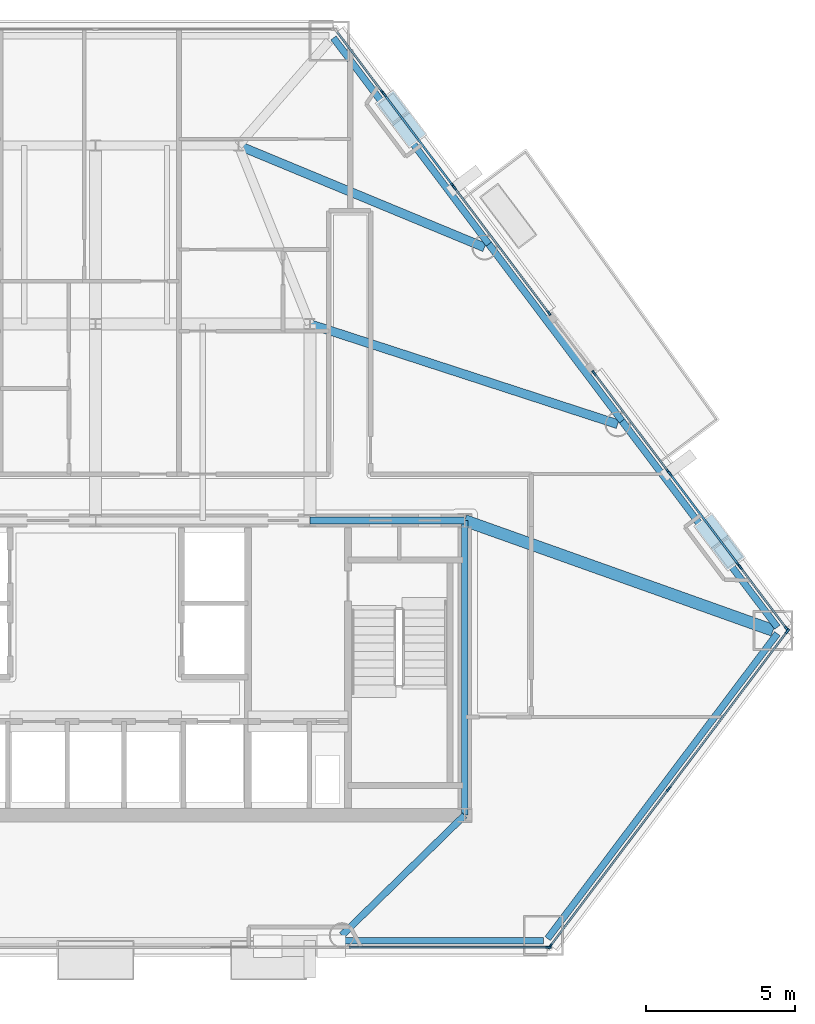
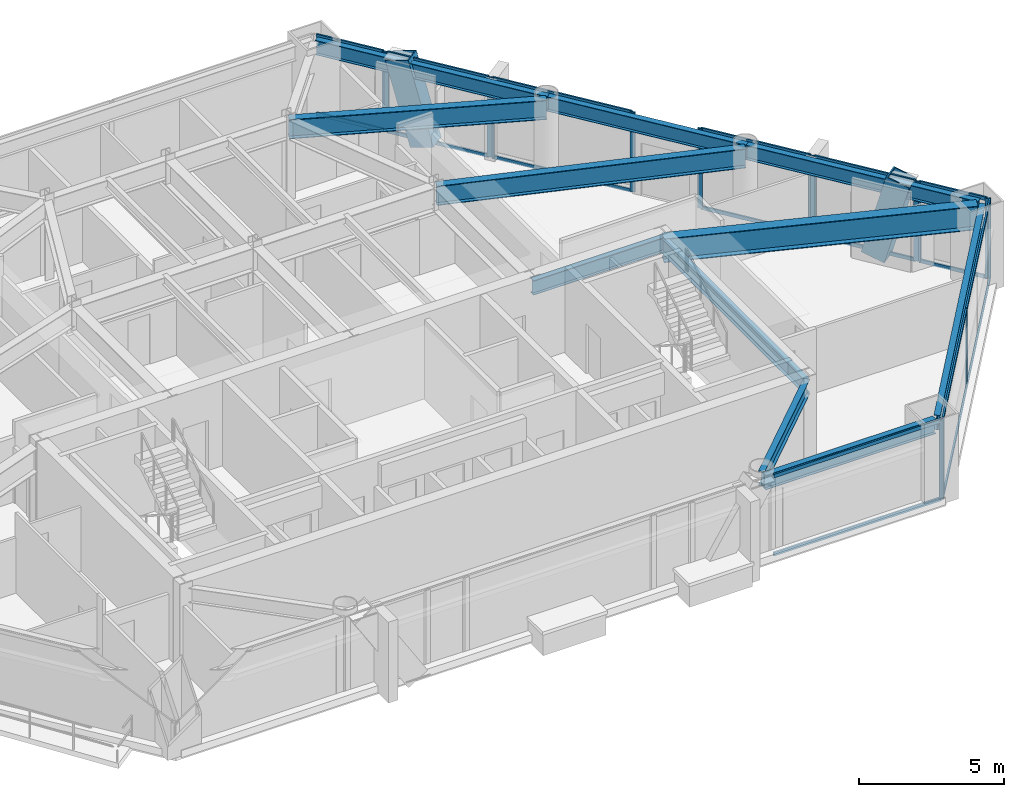
# One storey, part 4 of 11: 35 members, 11 beams, 8 elements without a shape of their own.
"""IFC4 building model written with IfcOpenShell, lengths in metres."""

from ifc_helpers import new_model, si_unit, direction, frame, origin, origin_2d, place, context, subcontext, project, spatial, rectangle, hollow_rectangle, i_section, extrude, material, layer, layer_set, material_profile, profile_set, type_object, element, aggregate, save


model = new_model("IFC4")

# Units and contexts
model_context = context("Model", 3, precision=1e-05, world=origin(), true_north=direction((0.0, 1.0)))
body_context = subcontext(model_context, "Body", "Model", "MODEL_VIEW")
ifc_project = project(units=[si_unit("LENGTHUNIT", "METRE"), si_unit("AREAUNIT", "SQUARE_METRE"), si_unit("VOLUMEUNIT", "CUBIC_METRE"), si_unit("PLANEANGLEUNIT", "RADIAN"), si_unit("MASSUNIT", "GRAM", prefix="KILO")], contexts=[model_context])

# Site, building, storey
site_placement = place(None, origin())
site = spatial("IfcSite", under=ifc_project, at=site_placement, CompositionType="ELEMENT")
building_placement = place(site_placement, origin())
building = spatial("IfcBuilding", under=site, at=building_placement, Name="Talgorran Terracotta Tower", CompositionType="ELEMENT")
storey_placement = place(building_placement, frame((0.0, 0.0, 45.89990234375)))
storey = spatial("IfcBuildingStorey", under=building, at=storey_placement, Name="L11", CompositionType="ELEMENT", Elevation=45.89990234375)

# Beams
ifc_material_1 = material(Name="Steel Grade 350 (350L0)", Category="steel")
ifc_material_profile_1 = material_profile(ifc_material_1, i_section(OverallWidth=0.39990234375, OverallDepth=1.0, WebThickness=0.01611328125, FlangeThickness=0.031005859375, at=origin_2d()), Name="1000WB296")
ifc_profile_set_1 = profile_set([ifc_material_profile_1], Name="Steel Grade 350 (350L0)")
beam_type_1 = type_object("IfcBeamType", Name="BM_1000WB296", PredefinedType="BEAM", material=ifc_profile_set_1)
beam_1_placement = place(storey_placement, frame((12.39990234375, -4.199951171875, 2.85009765625), z_axis=(0.941952171634, -0.335747086889, 0.0), x_axis=(0.335747086889, 0.941952171634, 0.0)))
element("IfcBeam", 1, at=beam_1_placement, inside=storey, type_object=beam_type_1, Name="L11 Floor Girder G18", PredefinedType="BEAM", context=body_context, shape_type="SweptSolid", body=[
    extrude(i_section(OverallWidth=0.39990234375, OverallDepth=1.0, WebThickness=0.01611328125, FlangeThickness=0.031005859375, at=origin_2d()), origin(), (0.0, 0.0, 1.0), 10.99755859375),
])
ifc_material_2 = material(Name="Steel S355 (300PLUS)", Category="steel")
ifc_material_profile_2 = material_profile(ifc_material_2, i_section(OverallWidth=0.300048828125, OverallDepth=0.81591796875, WebThickness=0.013916015625, FlangeThickness=0.028076171875, at=origin_2d()), Name="800WB192")
ifc_profile_set_2 = profile_set([ifc_material_profile_2], Name="Steel S355 (300PLUS)")
beam_type_2 = type_object("IfcBeamType", Name="BM_800WB192", PredefinedType="BEAM", material=ifc_profile_set_2)
beam_2_placement = place(storey_placement, frame((7.199951171875, 2.39990234375, 2.942138671875), z_axis=(0.950964080861, -0.309301336746, 0.0), x_axis=(0.309301336746, 0.950964080861, 0.0)))
element("IfcBeam", 2, at=beam_2_placement, inside=storey, type_object=beam_type_2, Name="L11 Floor Girder G07", PredefinedType="BEAM", context=body_context, shape_type="SweptSolid", body=[
    extrude(i_section(OverallWidth=0.300048828125, OverallDepth=0.81591796875, WebThickness=0.013916015625, FlangeThickness=0.028076171875, at=origin_2d()), origin(), (0.0, 0.0, 1.0), 10.873046875),
])
beam_3_placement = place(storey_placement, frame((4.800048828125, 8.39990234375, 2.942138671875), z_axis=(0.923897446569, -0.382640181141, 0.0), x_axis=(0.382640181141, 0.923897446569, 0.0)))
element("IfcBeam", 3, at=beam_3_placement, inside=storey, type_object=beam_type_2, Name="L11 Floor Girder G14", PredefinedType="BEAM", context=body_context, shape_type="SweptSolid", body=[
    extrude(i_section(OverallWidth=0.300048828125, OverallDepth=0.81591796875, WebThickness=0.013916015625, FlangeThickness=0.028076171875, at=origin_2d()), origin(), (0.0, 0.0, 1.0), 8.947265625),
])
ifc_material_profile_3 = material_profile(ifc_material_2, i_section(OverallWidth=0.22900390625, OverallDepth=0.611572265625, WebThickness=0.011962890625, FlangeThickness=0.01953125, at=origin_2d()), Name="610UB125")
ifc_profile_set_3 = profile_set([ifc_material_profile_3], Name="Steel S355 (300PLUS)")
beam_type_3 = type_object("IfcBeamType", Name="BM_SP_610UB125", PredefinedType="SPANDREL", material=ifc_profile_set_3)
beam_4_placement = place(storey_placement, frame((8.274169921875, -18.315673828125, 3.044189453125), z_axis=(1.0, 0.0, 0.0), x_axis=(0.0, 1.0, 0.0)))
element("IfcBeam", 4, at=beam_4_placement, inside=storey, type_object=beam_type_3, Name="L11 Perimeter Spandrel Beam FC2-MC3", PredefinedType="SPANDREL", context=body_context, shape_type="SweptSolid", body=[
    extrude(i_section(OverallWidth=0.22900390625, OverallDepth=0.611572265625, WebThickness=0.011962890625, FlangeThickness=0.01953125, at=origin_2d()), origin(), (0.0, 0.0, 1.0), 6.769775390625),
])
beam_5_placement = place(storey_placement, frame((15.187744140625, -18.243896484375, 3.044189453125), z_axis=(0.601631480878, 0.79877378601, 0.0), x_axis=(-0.79877378601, 0.601631480878, 0.0)))
element("IfcBeam", 5, at=beam_5_placement, inside=storey, type_object=beam_type_3, Name="L11 Perimeter Spandrel Beam MC3-MC4", PredefinedType="SPANDREL", context=body_context, shape_type="SweptSolid", body=[
    extrude(i_section(OverallWidth=0.22900390625, OverallDepth=0.611572265625, WebThickness=0.011962890625, FlangeThickness=0.01953125, at=origin_2d()), origin(), (0.0, 0.0, 1.0), 12.82373046875),
])
beam_6_placement = place(storey_placement, frame((22.90283203125, -7.7841796875, 3.044189453125), z_axis=(-0.601633271951, 0.798772436981, 0.0), x_axis=(-0.798772436981, -0.601633271951, 0.0)))
element("IfcBeam", 6, at=beam_6_placement, inside=storey, type_object=beam_type_3, Name="L11 Perimeter Spandrel Beam MC4-FC3", PredefinedType="SPANDREL", context=body_context, shape_type="SweptSolid", body=[
    extrude(i_section(OverallWidth=0.22900390625, OverallDepth=0.611572265625, WebThickness=0.011962890625, FlangeThickness=0.01953125, at=origin_2d()), origin(), (0.0, 0.0, 1.0), 8.675048828125),
])
beam_7_placement = place(storey_placement, frame((17.68359375, -0.854736328125, 3.044189453125), z_axis=(-0.601616830796, 0.79878482015, 0.0), x_axis=(-0.79878482015, -0.601616830796, 0.0)))
element("IfcBeam", 7, at=beam_7_placement, inside=storey, type_object=beam_type_3, Name="L11 Perimeter Spandrel Beam FC3-FC4", PredefinedType="SPANDREL", context=body_context, shape_type="SweptSolid", body=[
    extrude(i_section(OverallWidth=0.22900390625, OverallDepth=0.611572265625, WebThickness=0.011962890625, FlangeThickness=0.01953125, at=origin_2d()), origin(), (0.0, 0.0, 1.0), 7.435546875),
])
beam_8_placement = place(storey_placement, frame((13.210205078125, 5.084716796875, 3.044189453125), z_axis=(-0.601628840165, 0.798775774972, 0.0), x_axis=(-0.798775774972, -0.601628840165, 0.0)))
element("IfcBeam", 8, at=beam_8_placement, inside=storey, type_object=beam_type_3, Name="L11 Perimeter Spandrel Beam FC4-MC5", PredefinedType="SPANDREL", context=body_context, shape_type="SweptSolid", body=[
    extrude(i_section(OverallWidth=0.22900390625, OverallDepth=0.611572265625, WebThickness=0.011962890625, FlangeThickness=0.01953125, at=origin_2d()), origin(), (0.0, 0.0, 1.0), 8.6748046875),
])
beam_9_placement = place(storey_placement, frame((12.39990234375, -14.10009765625, 3.044189453125), z_axis=(-0.714889648405, -0.699237292058, 0.0), x_axis=(0.699237292058, -0.714889648405, 0.0)))
element("IfcBeam", 9, at=beam_9_placement, inside=storey, type_object=beam_type_3, Name="L11 South-East Core Tie Beam", PredefinedType="SPANDREL", context=body_context, shape_type="SweptSolid", body=[
    extrude(i_section(OverallWidth=0.22900390625, OverallDepth=0.611572265625, WebThickness=0.011962890625, FlangeThickness=0.01953125, at=origin_2d()), origin(), (0.0, 0.0, 1.0), 5.771240234375),
])
beam_10_placement = place(storey_placement, frame((12.39990234375, -14.10009765625, 3.044189453125), z_axis=(0.0, 1.0, 0.0), x_axis=(-1.0, 0.0, 0.0)))
element("IfcBeam", 10, at=beam_10_placement, inside=storey, type_object=beam_type_3, Name="L11 Core Frame Beam CFE", PredefinedType="SPANDREL", context=body_context, shape_type="SweptSolid", body=[
    extrude(i_section(OverallWidth=0.22900390625, OverallDepth=0.611572265625, WebThickness=0.011962890625, FlangeThickness=0.01953125, at=origin_2d()), origin(), (0.0, 0.0, 1.0), 9.900146484375),
])
beam_11_placement = place(storey_placement, frame((7.199951171875, -4.199951171875, 3.044189453125), z_axis=(1.0, 0.0, 0.0), x_axis=(0.0, 1.0, 0.0)))
element("IfcBeam", 11, at=beam_11_placement, inside=storey, type_object=beam_type_3, Name="L11 Core Frame Beam CFN4", PredefinedType="SPANDREL", context=body_context, shape_type="SweptSolid", body=[
    extrude(i_section(OverallWidth=0.22900390625, OverallDepth=0.611572265625, WebThickness=0.011962890625, FlangeThickness=0.01953125, at=origin_2d()), origin(), (0.0, 0.0, 1.0), 5.199951171875),
])

# Members
ifc_material_profile_4 = material_profile(ifc_material_1, hollow_rectangle(XDim=0.699951171875, YDim=0.89990234375, WallThickness=0.050048828125, at=origin_2d()), Name="WBOX900X700X50")
ifc_profile_set_4 = profile_set([ifc_material_profile_4], Name="Steel Grade 350 (350L0)")
member_type_1 = type_object("IfcMemberType", Name="MB_MEGA_900", PredefinedType="BRACE", material=ifc_profile_set_4)
member_1_placement = place(storey_placement, frame((20.689453125, -4.546142578125, -0.02490234375), z_axis=(0.159330882723, -0.211541002485, 0.964294599217), x_axis=(0.798774681466, 0.601630291998, 0.0)))
element("IfcMember", 12, at=member_1_placement, inside=storey, type_object=member_type_1, Name="L11 Exterior Face Mega-Brace MB-1 (NEL)", PredefinedType="BRACE", context=body_context, shape_type="SweptSolid", body=[
    extrude(hollow_rectangle(XDim=0.699951171875, YDim=0.89990234375, WallThickness=0.050048828125, at=origin_2d()), origin(), (0.0, 0.0, 1.0), 3.52587890625),
])
member_2_placement = place(storey_placement, frame((10.547119140625, 8.91943359375, -0.02490234375), z_axis=(-0.159263395271, 0.211543335893, 0.964305235891), x_axis=(-0.798900335127, -0.601463427428, 0.0)))
element("IfcMember", 13, at=member_2_placement, inside=storey, type_object=member_type_1, Name="L11 Exterior Face Mega-Brace MB-1 (NEU)", PredefinedType="BRACE", context=body_context, shape_type="SweptSolid", body=[
    extrude(hollow_rectangle(XDim=0.699951171875, YDim=0.89990234375, WallThickness=0.050048828125, at=origin_2d()), origin(), (0.0, 0.0, 1.0), 3.525634765625),
])

# Curtain wall, member
ifc_material_3 = material(Name="Unitised Low-E Double Glazing", Category="glass")
ifc_layer = layer(ifc_material_3, 0.199951171875, Name="CW_SYS2_RES_LOW")
ifc_layer_set = layer_set([ifc_layer], Name="Unitised Low-E Double Glazing")
curtain_wall_type = type_object("IfcCurtainWallType", Name="CW_SYS2_RES_LOW", PredefinedType="NOTDEFINED", material=ifc_layer_set)
curtain_wall_1_placement = place(storey_placement, origin())
curtain_wall_1 = element("IfcCurtainWall", 14, at=curtain_wall_1_placement, inside=storey, type_object=curtain_wall_type, Name="CW-L11-F1G", PredefinedType="NOTDEFINED")
ifc_material_4 = material(Name="Architectural Aluminium 6063-T6", Category="aluminium")
ifc_material_profile_5 = material_profile(ifc_material_4, rectangle(XDim=0.06494140625, YDim=0.18505859375, at=origin_2d()), Name="CWM65X185")
ifc_profile_set_5 = profile_set([ifc_material_profile_5], Name="Architectural Aluminium 6063-T6")
member_type_2 = type_object("IfcMemberType", Name="MUL_65X185", PredefinedType="MULLION", material=ifc_profile_set_5)
member_3_placement = place(storey_placement, frame((15.2109375, -18.53564453125, 0.0), z_axis=(0.0, 0.0, 1.0), x_axis=(0.0, 1.0, 0.0)))
member_3 = element("IfcMember", 15, at=member_3_placement, type_object=member_type_2, Name="CW-L11-1G mullion 2", PredefinedType="MULLION", context=body_context, shape_type="SweptSolid", body=[
    extrude(rectangle(XDim=0.06494140625, YDim=0.18505859375, at=origin_2d()), origin(), (0.0, 0.0, 1.0), 3.35009765625),
])

# Curtain wall, members
curtain_wall_2_placement = place(storey_placement, origin())
curtain_wall_2 = element("IfcCurtainWall", 16, at=curtain_wall_2_placement, inside=storey, type_object=curtain_wall_type, Name="CW-L11-F2", PredefinedType="NOTDEFINED")
member_4_placement = place(storey_placement, frame((15.262939453125, -18.509521484375, 0.0), z_axis=(0.0, 0.0, 1.0), x_axis=(-0.798773515054, 0.60163184062, 0.0)))
member_4 = element("IfcMember", 17, at=member_4_placement, type_object=member_type_2, Name="CW-L11-2 mullion 1", PredefinedType="MULLION", context=body_context, shape_type="SweptSolid", body=[
    extrude(rectangle(XDim=0.06494140625, YDim=0.18505859375, at=origin_2d()), origin(), (0.0, 0.0, 1.0), 3.35009765625),
])
member_5_placement = place(storey_placement, frame((19.251708984375, -13.214111328125, 0.0), z_axis=(0.0, 0.0, 1.0), x_axis=(-0.798773515054, 0.60163184062, 0.0)))
member_5 = element("IfcMember", 18, at=member_5_placement, type_object=member_type_2, Name="CW-L11-2 mullion 2", PredefinedType="MULLION", context=body_context, shape_type="SweptSolid", body=[
    extrude(rectangle(XDim=0.06494140625, YDim=0.18505859375, at=origin_2d()), origin(), (0.0, 0.0, 1.0), 3.35009765625),
])
member_6_placement = place(storey_placement, frame((23.240234375, -7.91845703125, 0.0), z_axis=(0.0, 0.0, 1.0), x_axis=(-0.798773515054, 0.60163184062, 0.0)))
member_6 = element("IfcMember", 19, at=member_6_placement, type_object=member_type_2, Name="CW-L11-2 mullion 3", PredefinedType="MULLION", context=body_context, shape_type="SweptSolid", body=[
    extrude(rectangle(XDim=0.06494140625, YDim=0.18505859375, at=origin_2d()), origin(), (0.0, 0.0, 1.0), 3.35009765625),
])

curtain_wall_3_placement = place(storey_placement, origin())
curtain_wall_3 = element("IfcCurtainWall", 20, at=curtain_wall_3_placement, inside=storey, type_object=curtain_wall_type, Name="CW-L11-F40", PredefinedType="NOTDEFINED")
member_7_placement = place(storey_placement, frame((23.216064453125, -7.83447265625, 0.0), z_axis=(0.0, 0.0, 1.0), x_axis=(-0.798783302571, -0.601618845727, 0.0)))
member_7 = element("IfcMember", 21, at=member_7_placement, type_object=member_type_2, Name="CW-L11-40 mullion 1", PredefinedType="MULLION", context=body_context, shape_type="SweptSolid", body=[
    extrude(rectangle(XDim=0.06494140625, YDim=0.18505859375, at=origin_2d()), origin(), (0.0, 0.0, 1.0), 3.35009765625),
])
member_8_placement = place(storey_placement, frame((21.656982421875, -5.76416015625, 0.0), z_axis=(0.0, 0.0, 1.0), x_axis=(-0.798783302571, -0.601618845727, 0.0)))
member_8 = element("IfcMember", 22, at=member_8_placement, type_object=member_type_2, Name="CW-L11-40 mullion 2", PredefinedType="MULLION", context=body_context, shape_type="SweptSolid", body=[
    extrude(rectangle(XDim=0.06494140625, YDim=0.18505859375, at=origin_2d()), origin(), (0.0, 0.0, 1.0), 3.35009765625),
])

curtain_wall_4_placement = place(storey_placement, origin())
curtain_wall_4 = element("IfcCurtainWall", 23, at=curtain_wall_4_placement, inside=storey, type_object=curtain_wall_type, Name="CW-L11-F40B", PredefinedType="NOTDEFINED")
member_9_placement = place(storey_placement, frame((21.61181640625, -5.704345703125, 0.0), z_axis=(0.0, 0.0, 1.0), x_axis=(-0.798774003378, -0.601631192283, 0.0)))
member_9 = element("IfcMember", 24, at=member_9_placement, type_object=member_type_2, Name="CW-L11-40B mullion 1", PredefinedType="MULLION", context=body_context, shape_type="SweptSolid", body=[
    extrude(rectangle(XDim=0.06494140625, YDim=0.18505859375, at=origin_2d()), origin(), (0.0, 0.0, 1.0), 3.35009765625),
])
member_10_placement = place(storey_placement, frame((19.292236328125, -2.624755859375, 0.0), z_axis=(0.0, 0.0, 1.0), x_axis=(-0.798774003378, -0.601631192283, 0.0)))
member_10 = element("IfcMember", 25, at=member_10_placement, type_object=member_type_2, Name="CW-L11-40B mullion 2", PredefinedType="MULLION", context=body_context, shape_type="SweptSolid", body=[
    extrude(rectangle(XDim=0.06494140625, YDim=0.18505859375, at=origin_2d()), origin(), (0.0, 0.0, 1.0), 3.35009765625),
])

curtain_wall_5_placement = place(storey_placement, origin())
curtain_wall_5 = element("IfcCurtainWall", 26, at=curtain_wall_5_placement, inside=storey, type_object=curtain_wall_type, Name="CW-L11-F40C", PredefinedType="NOTDEFINED")
member_11_placement = place(storey_placement, frame((19.2470703125, -2.564697265625, 0.0), z_axis=(0.0, 0.0, 1.0), x_axis=(-0.798781994492, -0.601620582489, 0.0)))
member_11 = element("IfcMember", 27, at=member_11_placement, type_object=member_type_2, Name="CW-L11-40C mullion 1", PredefinedType="MULLION", context=body_context, shape_type="SweptSolid", body=[
    extrude(rectangle(XDim=0.06494140625, YDim=0.18505859375, at=origin_2d()), origin(), (0.0, 0.0, 1.0), 3.35009765625),
])
member_12_placement = place(storey_placement, frame((16.745849609375, 0.756103515625, 0.0), z_axis=(0.0, 0.0, 1.0), x_axis=(-0.798781994492, -0.601620582489, 0.0)))
member_12 = element("IfcMember", 28, at=member_12_placement, type_object=member_type_2, Name="CW-L11-40C mullion 2", PredefinedType="MULLION", context=body_context, shape_type="SweptSolid", body=[
    extrude(rectangle(XDim=0.06494140625, YDim=0.18505859375, at=origin_2d()), origin(), (0.0, 0.0, 1.0), 3.35009765625),
])

curtain_wall_6_placement = place(storey_placement, origin())
curtain_wall_6 = element("IfcCurtainWall", 29, at=curtain_wall_6_placement, inside=storey, type_object=curtain_wall_type, Name="CW-L11-F41", PredefinedType="NOTDEFINED")
member_13_placement = place(storey_placement, frame((15.226806640625, 2.77294921875, 0.0), z_axis=(0.0, 0.0, 1.0), x_axis=(-0.798778013427, -0.601625868181, 0.0)))
member_13 = element("IfcMember", 30, at=member_13_placement, type_object=member_type_2, Name="CW-L11-41 mullion 1", PredefinedType="MULLION", context=body_context, shape_type="SweptSolid", body=[
    extrude(rectangle(XDim=0.06494140625, YDim=0.18505859375, at=origin_2d()), origin(), (0.0, 0.0, 1.0), 3.35009765625),
])
member_14_placement = place(storey_placement, frame((12.053466796875, 6.986328125, 0.0), z_axis=(0.0, 0.0, 1.0), x_axis=(-0.798778013427, -0.601625868181, 0.0)))
member_14 = element("IfcMember", 31, at=member_14_placement, type_object=member_type_2, Name="CW-L11-41 mullion 2", PredefinedType="MULLION", context=body_context, shape_type="SweptSolid", body=[
    extrude(rectangle(XDim=0.06494140625, YDim=0.18505859375, at=origin_2d()), origin(), (0.0, 0.0, 1.0), 3.35009765625),
])

curtain_wall_7_placement = place(storey_placement, origin())
curtain_wall_7 = element("IfcCurtainWall", 32, at=curtain_wall_7_placement, inside=storey, type_object=curtain_wall_type, Name="CW-L11-F41B", PredefinedType="NOTDEFINED")
member_15_placement = place(storey_placement, frame((12.00830078125, 7.046142578125, 0.0), z_axis=(0.0, 0.0, 1.0), x_axis=(-0.798774003378, -0.601631192283, 0.0)))
member_15 = element("IfcMember", 33, at=member_15_placement, type_object=member_type_2, Name="CW-L11-41B mullion 1", PredefinedType="MULLION", context=body_context, shape_type="SweptSolid", body=[
    extrude(rectangle(XDim=0.06494140625, YDim=0.18505859375, at=origin_2d()), origin(), (0.0, 0.0, 1.0), 3.35009765625),
])
member_16_placement = place(storey_placement, frame((9.688720703125, 10.125732421875, 0.0), z_axis=(0.0, 0.0, 1.0), x_axis=(-0.798774003378, -0.601631192283, 0.0)))
member_16 = element("IfcMember", 34, at=member_16_placement, type_object=member_type_2, Name="CW-L11-41B mullion 2", PredefinedType="MULLION", context=body_context, shape_type="SweptSolid", body=[
    extrude(rectangle(XDim=0.06494140625, YDim=0.18505859375, at=origin_2d()), origin(), (0.0, 0.0, 1.0), 3.35009765625),
])

# Curtain wall, member
curtain_wall_8_placement = place(storey_placement, origin())
curtain_wall_8 = element("IfcCurtainWall", 35, at=curtain_wall_8_placement, inside=storey, type_object=curtain_wall_type, Name="CW-L11-F41C", PredefinedType="NOTDEFINED")
member_17_placement = place(storey_placement, frame((9.6435546875, 10.185791015625, 0.0), z_axis=(0.0, 0.0, 1.0), x_axis=(-0.798787663306, -0.601613055834, 0.0)))
member_17 = element("IfcMember", 36, at=member_17_placement, type_object=member_type_2, Name="CW-L11-41C mullion 1", PredefinedType="MULLION", context=body_context, shape_type="SweptSolid", body=[
    extrude(rectangle(XDim=0.06494140625, YDim=0.18505859375, at=origin_2d()), origin(), (0.0, 0.0, 1.0), 3.35009765625),
])

# Member
ifc_material_profile_6 = material_profile(ifc_material_4, rectangle(XDim=0.06494140625, YDim=0.14990234375, at=origin_2d()), Name="CWT65X150")
ifc_profile_set_6 = profile_set([ifc_material_profile_6], Name="Architectural Aluminium 6063-T6")
member_type_3 = type_object("IfcMemberType", Name="TRN_65X150", PredefinedType="USERDEFINED", material=ifc_profile_set_6)
member_18_placement = place(storey_placement, frame((8.517578125, -18.53564453125, 0.03271484375), z_axis=(1.0, 0.0, 0.0), x_axis=(0.0, 1.0, 0.0)))
member_18 = element("IfcMember", 37, at=member_18_placement, type_object=member_type_3, Name="CW-L11-1G transom 1.1", ObjectType="TRANSOM", PredefinedType="USERDEFINED", context=body_context, shape_type="SweptSolid", body=[
    extrude(rectangle(XDim=0.06494140625, YDim=0.14990234375, at=origin_2d()), origin(), (0.0, 0.0, 1.0), 6.660888671875),
])

member_19_placement = place(storey_placement, frame((8.517578125, -18.53564453125, 3.317626953125), z_axis=(1.0, 0.0, 0.0), x_axis=(0.0, 1.0, 0.0)))
member_19 = element("IfcMember", 38, at=member_19_placement, type_object=member_type_3, Name="CW-L11-1G transom 1.2", ObjectType="TRANSOM", PredefinedType="USERDEFINED", context=body_context, shape_type="SweptSolid", body=[
    extrude(rectangle(XDim=0.06494140625, YDim=0.14990234375, at=origin_2d()), origin(), (0.0, 0.0, 1.0), 6.660888671875),
])

aggregate(curtain_wall_1, [member_3, member_18, member_19])

member_20_placement = place(storey_placement, frame((15.282470703125, -18.483642578125, 0.03271484375), z_axis=(0.601629181278, 0.798775518049, 0.0), x_axis=(-0.798775518049, 0.601629181278, 0.0)))
member_20 = element("IfcMember", 39, at=member_20_placement, type_object=member_type_3, Name="CW-L11-2 transom 1.1", ObjectType="TRANSOM", PredefinedType="USERDEFINED", context=body_context, shape_type="SweptSolid", body=[
    extrude(rectangle(XDim=0.06494140625, YDim=0.14990234375, at=origin_2d()), origin(), (0.0, 0.0, 1.0), 6.564697265625),
])

member_21_placement = place(storey_placement, frame((15.282470703125, -18.483642578125, 3.317626953125), z_axis=(0.601629181278, 0.798775518049, 0.0), x_axis=(-0.798775518049, 0.601629181278, 0.0)))
member_21 = element("IfcMember", 40, at=member_21_placement, type_object=member_type_3, Name="CW-L11-2 transom 1.2", ObjectType="TRANSOM", PredefinedType="USERDEFINED", context=body_context, shape_type="SweptSolid", body=[
    extrude(rectangle(XDim=0.06494140625, YDim=0.14990234375, at=origin_2d()), origin(), (0.0, 0.0, 1.0), 6.564697265625),
])

member_22_placement = place(storey_placement, frame((19.271240234375, -13.18798828125, 0.03271484375), z_axis=(0.601629181278, 0.798775518049, 0.0), x_axis=(-0.798775518049, 0.601629181278, 0.0)))
member_22 = element("IfcMember", 41, at=member_22_placement, type_object=member_type_3, Name="CW-L11-2 transom 2.1", ObjectType="TRANSOM", PredefinedType="USERDEFINED", context=body_context, shape_type="SweptSolid", body=[
    extrude(rectangle(XDim=0.06494140625, YDim=0.14990234375, at=origin_2d()), origin(), (0.0, 0.0, 1.0), 6.564697265625),
])

member_23_placement = place(storey_placement, frame((19.271240234375, -13.18798828125, 3.317626953125), z_axis=(0.601629181278, 0.798775518049, 0.0), x_axis=(-0.798775518049, 0.601629181278, 0.0)))
member_23 = element("IfcMember", 42, at=member_23_placement, type_object=member_type_3, Name="CW-L11-2 transom 2.2", ObjectType="TRANSOM", PredefinedType="USERDEFINED", context=body_context, shape_type="SweptSolid", body=[
    extrude(rectangle(XDim=0.06494140625, YDim=0.14990234375, at=origin_2d()), origin(), (0.0, 0.0, 1.0), 6.564697265625),
])

aggregate(curtain_wall_2, [member_4, member_5, member_6, member_20, member_21, member_22, member_23])

member_24_placement = place(storey_placement, frame((23.196533203125, -7.80859375, 0.03271484375), z_axis=(-0.601591201846, 0.798804122336, 0.0), x_axis=(-0.798804122336, -0.601591201846, 0.0)))
member_24 = element("IfcMember", 43, at=member_24_placement, type_object=member_type_3, Name="CW-L11-40 transom 1.1", ObjectType="TRANSOM", PredefinedType="USERDEFINED", context=body_context, shape_type="SweptSolid", body=[
    extrude(rectangle(XDim=0.06494140625, YDim=0.14990234375, at=origin_2d()), origin(), (0.0, 0.0, 1.0), 2.526611328125),
])

member_25_placement = place(storey_placement, frame((23.196533203125, -7.80859375, 3.317626953125), z_axis=(-0.601591201846, 0.798804122336, 0.0), x_axis=(-0.798804122336, -0.601591201846, 0.0)))
member_25 = element("IfcMember", 44, at=member_25_placement, type_object=member_type_3, Name="CW-L11-40 transom 1.2", ObjectType="TRANSOM", PredefinedType="USERDEFINED", context=body_context, shape_type="SweptSolid", body=[
    extrude(rectangle(XDim=0.06494140625, YDim=0.14990234375, at=origin_2d()), origin(), (0.0, 0.0, 1.0), 2.526611328125),
])

aggregate(curtain_wall_3, [member_7, member_8, member_24, member_25])

member_26_placement = place(storey_placement, frame((21.59228515625, -5.678466796875, 0.03271484375), z_axis=(-0.601626969468, 0.798777183956, 0.0), x_axis=(-0.798777183956, -0.601626969468, 0.0)))
member_26 = element("IfcMember", 45, at=member_26_placement, type_object=member_type_3, Name="CW-L11-40B transom 1.1", ObjectType="TRANSOM", PredefinedType="USERDEFINED", context=body_context, shape_type="SweptSolid", body=[
    extrude(rectangle(XDim=0.06494140625, YDim=0.14990234375, at=origin_2d()), origin(), (0.0, 0.0, 1.0), 3.79052734375),
])

member_27_placement = place(storey_placement, frame((21.59228515625, -5.678466796875, 3.317626953125), z_axis=(-0.601626969468, 0.798777183956, 0.0), x_axis=(-0.798777183956, -0.601626969468, 0.0)))
member_27 = element("IfcMember", 46, at=member_27_placement, type_object=member_type_3, Name="CW-L11-40B transom 1.2", ObjectType="TRANSOM", PredefinedType="USERDEFINED", context=body_context, shape_type="SweptSolid", body=[
    extrude(rectangle(XDim=0.06494140625, YDim=0.14990234375, at=origin_2d()), origin(), (0.0, 0.0, 1.0), 3.79052734375),
])

aggregate(curtain_wall_4, [member_9, member_10, member_26, member_27])

member_28_placement = place(storey_placement, frame((19.2275390625, -2.538818359375, 0.03271484375), z_axis=(-0.601621383744, 0.798781391009, 0.0), x_axis=(-0.798781391009, -0.601621383744, 0.0)))
member_28 = element("IfcMember", 47, at=member_28_placement, type_object=member_type_3, Name="CW-L11-40C transom 1.1", ObjectType="TRANSOM", PredefinedType="USERDEFINED", context=body_context, shape_type="SweptSolid", body=[
    extrude(rectangle(XDim=0.06494140625, YDim=0.14990234375, at=origin_2d()), origin(), (0.0, 0.0, 1.0), 4.092529296875),
])

member_29_placement = place(storey_placement, frame((19.2275390625, -2.538818359375, 3.317626953125), z_axis=(-0.601621383744, 0.798781391009, 0.0), x_axis=(-0.798781391009, -0.601621383744, 0.0)))
member_29 = element("IfcMember", 48, at=member_29_placement, type_object=member_type_3, Name="CW-L11-40C transom 1.2", ObjectType="TRANSOM", PredefinedType="USERDEFINED", context=body_context, shape_type="SweptSolid", body=[
    extrude(rectangle(XDim=0.06494140625, YDim=0.14990234375, at=origin_2d()), origin(), (0.0, 0.0, 1.0), 4.092529296875),
])

aggregate(curtain_wall_5, [member_11, member_12, member_28, member_29])

member_30_placement = place(storey_placement, frame((15.207275390625, 2.799072265625, 0.03271484375), z_axis=(-0.601648360025, 0.798761072461, 0.0), x_axis=(-0.798761072461, -0.601648360025, 0.0)))
member_30 = element("IfcMember", 49, at=member_30_placement, type_object=member_type_3, Name="CW-L11-41 transom 1.1", ObjectType="TRANSOM", PredefinedType="USERDEFINED", context=body_context, shape_type="SweptSolid", body=[
    extrude(rectangle(XDim=0.06494140625, YDim=0.14990234375, at=origin_2d()), origin(), (0.0, 0.0, 1.0), 5.20947265625),
])

member_31_placement = place(storey_placement, frame((15.207275390625, 2.799072265625, 3.317626953125), z_axis=(-0.601648360025, 0.798761072461, 0.0), x_axis=(-0.798761072461, -0.601648360025, 0.0)))
member_31 = element("IfcMember", 50, at=member_31_placement, type_object=member_type_3, Name="CW-L11-41 transom 1.2", ObjectType="TRANSOM", PredefinedType="USERDEFINED", context=body_context, shape_type="SweptSolid", body=[
    extrude(rectangle(XDim=0.06494140625, YDim=0.14990234375, at=origin_2d()), origin(), (0.0, 0.0, 1.0), 5.20947265625),
])

aggregate(curtain_wall_6, [member_13, member_14, member_30, member_31])

member_32_placement = place(storey_placement, frame((11.98876953125, 7.072021484375, 0.03271484375), z_axis=(-0.601626969468, 0.798777183956, 0.0), x_axis=(-0.798777183956, -0.601626969468, 0.0)))
member_32 = element("IfcMember", 51, at=member_32_placement, type_object=member_type_3, Name="CW-L11-41B transom 1.1", ObjectType="TRANSOM", PredefinedType="USERDEFINED", context=body_context, shape_type="SweptSolid", body=[
    extrude(rectangle(XDim=0.06494140625, YDim=0.14990234375, at=origin_2d()), origin(), (0.0, 0.0, 1.0), 3.79052734375),
])

member_33_placement = place(storey_placement, frame((11.98876953125, 7.072021484375, 3.317626953125), z_axis=(-0.601626969468, 0.798777183956, 0.0), x_axis=(-0.798777183956, -0.601626969468, 0.0)))
member_33 = element("IfcMember", 52, at=member_33_placement, type_object=member_type_3, Name="CW-L11-41B transom 1.2", ObjectType="TRANSOM", PredefinedType="USERDEFINED", context=body_context, shape_type="SweptSolid", body=[
    extrude(rectangle(XDim=0.06494140625, YDim=0.14990234375, at=origin_2d()), origin(), (0.0, 0.0, 1.0), 3.79052734375),
])

aggregate(curtain_wall_7, [member_15, member_16, member_32, member_33])

member_34_placement = place(storey_placement, frame((9.6240234375, 10.211669921875, 0.03271484375), z_axis=(-0.601628711481, 0.798775871895, 0.0), x_axis=(-0.798775871895, -0.601628711481, 0.0)))
member_34 = element("IfcMember", 53, at=member_34_placement, type_object=member_type_3, Name="CW-L11-41C transom 1.1", ObjectType="TRANSOM", PredefinedType="USERDEFINED", context=body_context, shape_type="SweptSolid", body=[
    extrude(rectangle(XDim=0.06494140625, YDim=0.14990234375, at=origin_2d()), origin(), (0.0, 0.0, 1.0), 2.516357421875),
])

member_35_placement = place(storey_placement, frame((9.6240234375, 10.211669921875, 3.317626953125), z_axis=(-0.601628711481, 0.798775871895, 0.0), x_axis=(-0.798775871895, -0.601628711481, 0.0)))
member_35 = element("IfcMember", 54, at=member_35_placement, type_object=member_type_3, Name="CW-L11-41C transom 1.2", ObjectType="TRANSOM", PredefinedType="USERDEFINED", context=body_context, shape_type="SweptSolid", body=[
    extrude(rectangle(XDim=0.06494140625, YDim=0.14990234375, at=origin_2d()), origin(), (0.0, 0.0, 1.0), 2.516357421875),
])

aggregate(curtain_wall_8, [member_17, member_34, member_35])

save(model, "model.ifc")
